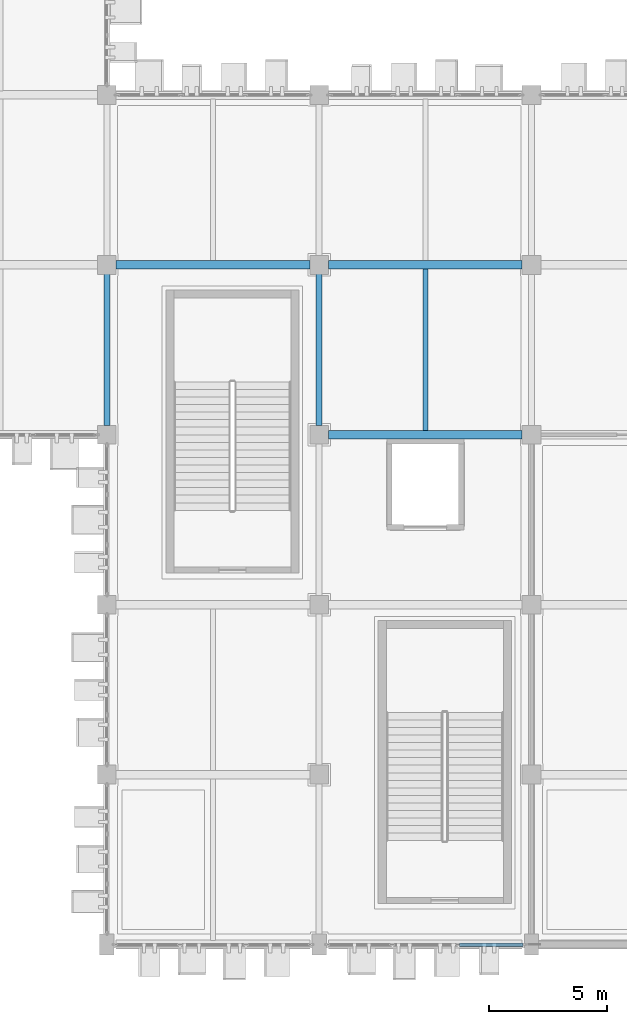
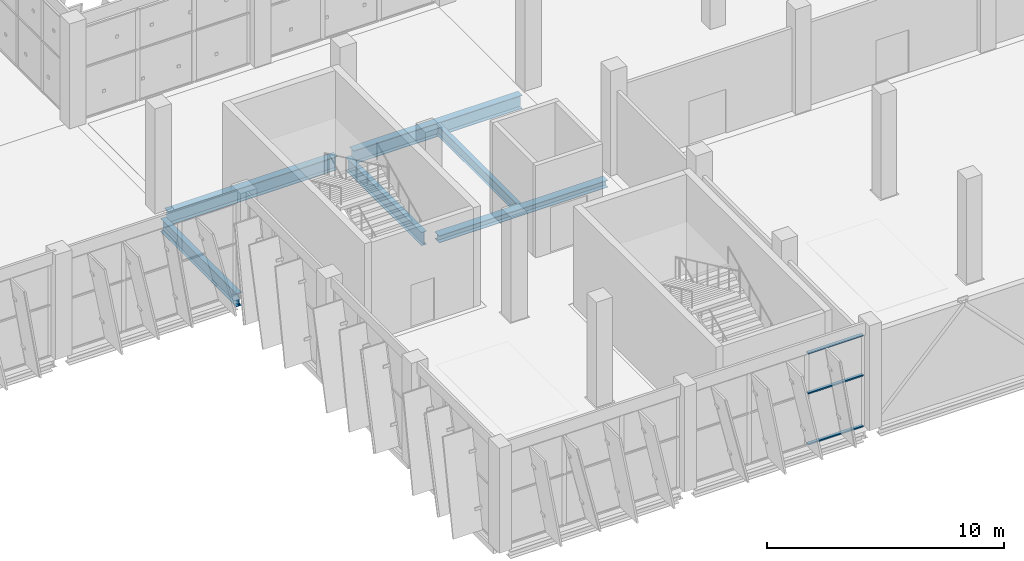
# One storey, part 32 of 137: 6 beams, 3 members, 1 element without a shape of its own.
"""IFC4 building model written with IfcOpenShell, lengths in metres."""

from ifc_helpers import new_model, si_unit, direction, frame, origin, origin_2d, place, context, subcontext, project, spatial, hollow_rectangle, i_section, extrude, material, layer, layer_set, material_profile, profile_set, type_object, element, aggregate, save


model = new_model("IFC4")

# Units and contexts
model_context = context("Model", 3, precision=1e-05, world=origin(), true_north=direction((0.0, 1.0)))
body_context = subcontext(model_context, "Body", "Model", "MODEL_VIEW")
ifc_project = project(units=[si_unit("LENGTHUNIT", "METRE"), si_unit("AREAUNIT", "SQUARE_METRE"), si_unit("VOLUMEUNIT", "CUBIC_METRE"), si_unit("PLANEANGLEUNIT", "RADIAN"), si_unit("MASSUNIT", "GRAM", prefix="KILO")], contexts=[model_context])

# Site, building, storey
site_placement = place(None, origin())
site = spatial("IfcSite", under=ifc_project, at=site_placement, CompositionType="ELEMENT")
building_placement = place(site_placement, origin())
building = spatial("IfcBuilding", under=site, at=building_placement, Name="Celestram Park Convention Centre", CompositionType="ELEMENT")
storey_placement = place(building_placement, origin())
storey = spatial("IfcBuildingStorey", under=building, at=storey_placement, Name="L00", CompositionType="ELEMENT", Elevation=0.0)

# Curtain wall, members
ifc_material_1 = material(Name="Anodised Aluminium Alloy 6063-T6", Category="aluminium")
ifc_layer = layer(ifc_material_1, 0.179931640625)
ifc_layer_set = layer_set([ifc_layer], Name="Anodised Aluminium Alloy 6063-T6")
curtain_wall_type = type_object("IfcCurtainWallType", Name="ARC-CW-840X475", PredefinedType="NOTDEFINED", material=ifc_layer_set)
curtain_wall_placement = place(storey_placement, origin())
curtain_wall = element("IfcCurtainWall", 1, at=curtain_wall_placement, inside=storey, type_object=curtain_wall_type, Name="Unitised curtain wall CU-L00-031", PredefinedType="NOTDEFINED")
ifc_material_profile_1 = material_profile(ifc_material_1, hollow_rectangle(XDim=0.14990234375, YDim=0.06494140625, WallThickness=0.0029296875, at=origin_2d()), Name="ALU150X65X3")
ifc_profile_set_1 = profile_set([ifc_material_profile_1], Name="Anodised Aluminium Alloy 6063-T6")
member_type = type_object("IfcMemberType", Name="ARC-CWT-150", PredefinedType="USERDEFINED", material=ifc_profile_set_1)
member_1_placement = place(storey_placement, frame((161.626953125, 0.0, 0.032470703125), z_axis=(-1.0, 0.0, 0.0), x_axis=(0.0, -1.0, 0.0)))
member_1 = element("IfcMember", 2, at=member_1_placement, type_object=member_type, Name="CW-84X47 transom 1.1", ObjectType="TRANSOM", PredefinedType="USERDEFINED", context=body_context, shape_type="SweptSolid", body=[
    extrude(hollow_rectangle(XDim=0.14990234375, YDim=0.06494140625, WallThickness=0.0029296875, at=origin_2d()), origin(), (0.0, 0.0, 1.0), 2.688720703125),
])
member_2_placement = place(storey_placement, frame((161.626953125, 0.0, 2.64990234375), z_axis=(-1.0, 0.0, 0.0), x_axis=(0.0, -1.0, 0.0)))
member_2 = element("IfcMember", 3, at=member_2_placement, type_object=member_type, Name="CW-84X47 transom 1.2", ObjectType="TRANSOM", PredefinedType="USERDEFINED", context=body_context, shape_type="SweptSolid", body=[
    extrude(hollow_rectangle(XDim=0.14990234375, YDim=0.06494140625, WallThickness=0.0029296875, at=origin_2d()), origin(), (0.0, 0.0, 1.0), 2.688720703125),
])
member_3_placement = place(storey_placement, frame((161.626953125, 0.0, 4.714599609375), z_axis=(-1.0, 0.0, 0.0), x_axis=(0.0, -1.0, 0.0)))
member_3 = element("IfcMember", 4, at=member_3_placement, type_object=member_type, Name="CW-84X47 transom 1.3", ObjectType="TRANSOM", PredefinedType="USERDEFINED", context=body_context, shape_type="SweptSolid", body=[
    extrude(hollow_rectangle(XDim=0.14990234375, YDim=0.06494140625, WallThickness=0.0029296875, at=origin_2d()), origin(), (0.0, 0.0, 1.0), 2.688720703125),
])
aggregate(curtain_wall, [member_1, member_2, member_3])

# Beams
ifc_material_2 = material(Name="Steel ASTM A992 Grade 50", Category="steel")
ifc_material_profile_2 = material_profile(ifc_material_2, i_section(OverallWidth=0.35595703125, OverallDepth=0.696044921875, WebThickness=0.015380859375, FlangeThickness=0.02490234375, at=origin_2d()), Name="W27X146")
ifc_profile_set_2 = profile_set([ifc_material_profile_2], Name="Steel ASTM A992 Grade 50")
beam_type_1 = type_object("IfcBeamType", Name="STR-BM-W27X146", PredefinedType="BEAM", material=ifc_profile_set_2)
for number, where, z_axis, x_axis, name in (
    (5, (144.39794921875, 28.800048828125, -0.66796875), (1.0, 0.0, 0.0), (0.0, 1.0, 0.0), "Primary X-girder BG-L00-0667"),
    (6, (153.39794921875, 28.800048828125, -0.66796875), (1.0, 0.0, 0.0), (0.0, 1.0, 0.0), "Primary X-girder BG-L00-0699"),
):
    element("IfcBeam", number, at=place(storey_placement, frame(where, z_axis=z_axis, x_axis=x_axis)), inside=storey, type_object=beam_type_1, Name=name, PredefinedType="BEAM", context=body_context, shape_type="SweptSolid", body=[
        extrude(i_section(OverallWidth=0.35595703125, OverallDepth=0.696044921875, WebThickness=0.015380859375, FlangeThickness=0.02490234375, at=origin_2d()), origin(), (0.0, 0.0, 1.0), 8.2041015625),
    ])
ifc_material_profile_3 = material_profile(ifc_material_2, i_section(OverallWidth=0.25390625, OverallDepth=0.68310546875, WebThickness=0.012451171875, FlangeThickness=0.01904296875, at=origin_2d()), Name="W27X94")
ifc_profile_set_3 = profile_set([ifc_material_profile_3], Name="Steel ASTM A992 Grade 50")
beam_type_2 = type_object("IfcBeamType", Name="STR-BM-W27X94", PredefinedType="BEAM", material=ifc_profile_set_3)
for number, where, z_axis, x_axis, name in (
    (7, (144.0, 21.998046875, -0.66162109375), (0.0, 1.0, 0.0), (-1.0, 0.0, 0.0), "Primary Y-girder BG-L00-0666"),
    (8, (153.0, 21.998046875, -0.66162109375), (0.0, 1.0, 0.0), (-1.0, 0.0, 0.0), "Primary Y-girder BG-L00-0698"),
):
    element("IfcBeam", number, at=place(storey_placement, frame(where, z_axis=z_axis, x_axis=x_axis)), inside=storey, type_object=beam_type_2, Name=name, PredefinedType="BEAM", context=body_context, shape_type="SweptSolid", body=[
        extrude(i_section(OverallWidth=0.25390625, OverallDepth=0.68310546875, WebThickness=0.012451171875, FlangeThickness=0.01904296875, at=origin_2d()), origin(), (0.0, 0.0, 1.0), 6.404052734375),
    ])
ifc_material_profile_4 = material_profile(ifc_material_2, i_section(OverallWidth=0.2099609375, OverallDepth=0.532958984375, WebThickness=0.01025390625, FlangeThickness=0.015625, at=origin_2d()), Name="W21X62")
ifc_profile_set_4 = profile_set([ifc_material_profile_4], Name="Steel ASTM A992 Grade 50")
beam_type_3 = type_object("IfcBeamType", Name="STR-JST-W21X62", PredefinedType="JOIST", material=ifc_profile_set_4)
beam_1_placement = place(storey_placement, frame((157.5, 21.781982421875, -0.58642578125), z_axis=(0.0, 1.0, 0.0), x_axis=(-1.0, 0.0, 0.0)))
element("IfcBeam", 9, at=beam_1_placement, inside=storey, type_object=beam_type_3, Name="Secondary composite joist BG-L00-1175", PredefinedType="JOIST", context=body_context, shape_type="SweptSolid", body=[
    extrude(i_section(OverallWidth=0.2099609375, OverallDepth=0.532958984375, WebThickness=0.01025390625, FlangeThickness=0.015625, at=origin_2d()), origin(), (0.0, 0.0, 1.0), 6.843994140625),
])
ifc_material_profile_5 = material_profile(ifc_material_2, i_section(OverallWidth=0.373046875, OverallDepth=0.373046875, WebThickness=0.016357421875, FlangeThickness=0.026123046875, at=origin_2d()), Name="W14X132")
ifc_profile_set_5 = profile_set([ifc_material_profile_5], Name="Steel ASTM A992 Grade 50")
beam_type_4 = type_object("IfcBeamType", Name="STR-SPN-W14X132", PredefinedType="SPANDREL", material=ifc_profile_set_5)
beam_2_placement = place(storey_placement, frame((153.39794921875, 21.60009765625, -0.506591796875), z_axis=(1.0, 0.0, 0.0), x_axis=(0.0, 1.0, 0.0)))
element("IfcBeam", 10, at=beam_2_placement, inside=storey, type_object=beam_type_4, Name="Primary X-girder BG-L00-0697", PredefinedType="SPANDREL", context=body_context, shape_type="SweptSolid", body=[
    extrude(i_section(OverallWidth=0.373046875, OverallDepth=0.373046875, WebThickness=0.016357421875, FlangeThickness=0.026123046875, at=origin_2d()), origin(), (0.0, 0.0, 1.0), 8.2041015625),
])

save(model, "model.ifc")
